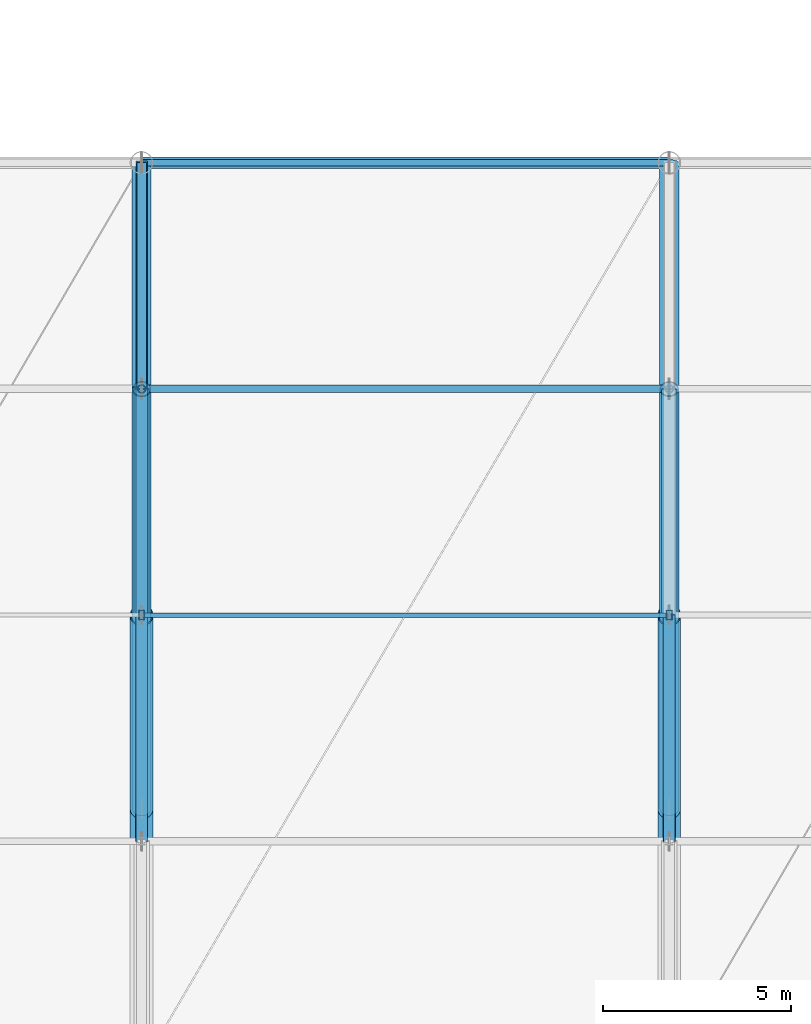
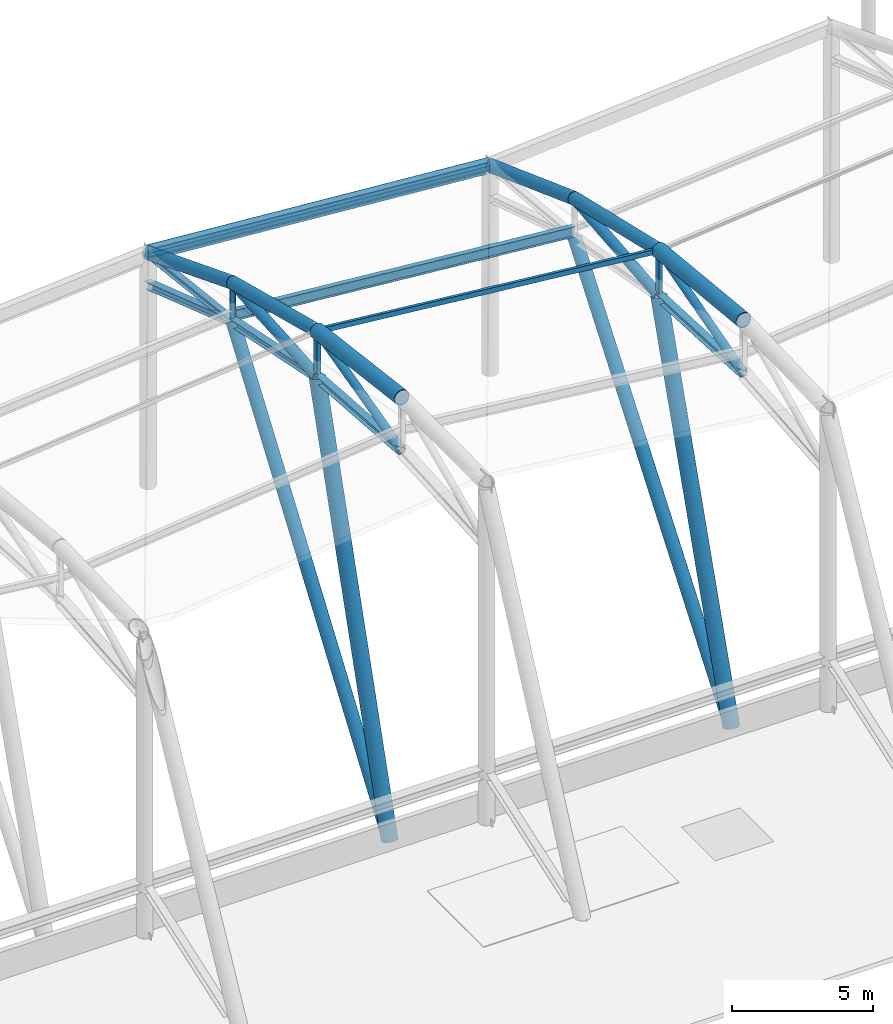
# One storey, part 23 of 90: 25 members, 1 beam.
"""IFC4 building model written with IfcOpenShell, lengths in metres."""

from ifc_helpers import new_model, si_unit, direction, frame, origin, origin_2d, place, context, subcontext, project, spatial, hollow_rectangle, hollow_circle, i_section, extrude, material, material_profile, profile_set, type_object, element, save


model = new_model("IFC4")

# Units and contexts
model_context = context("Model", 3, precision=1e-05, world=origin(), true_north=direction((0.0, 1.0)))
body_context = subcontext(model_context, "Body", "Model", "MODEL_VIEW")
ifc_project = project(units=[si_unit("LENGTHUNIT", "METRE"), si_unit("AREAUNIT", "SQUARE_METRE"), si_unit("VOLUMEUNIT", "CUBIC_METRE"), si_unit("PLANEANGLEUNIT", "RADIAN"), si_unit("MASSUNIT", "GRAM", prefix="KILO")], contexts=[model_context])

# Site, building, storey
site_placement = place(None, origin())
site = spatial("IfcSite", under=ifc_project, at=site_placement, CompositionType="ELEMENT")
building_placement = place(site_placement, origin())
building = spatial("IfcBuilding", under=site, at=building_placement, Name="Linyun Crest Stadium", CompositionType="ELEMENT")
storey_placement = place(building_placement, frame((0.0, 0.0, 21.0)))
storey = spatial("IfcBuildingStorey", under=building, at=storey_placement, Name="L05", CompositionType="ELEMENT", Elevation=21.0)

# Member
ifc_material_1 = material(Name="Steel Q355C", Category="steel")
ifc_material_profile_1 = material_profile(ifc_material_1, hollow_rectangle(XDim=0.1201171875, YDim=0.219970703125, WallThickness=0.008056640625, at=origin_2d()), Name="RHS 220x120x8")
ifc_profile_set_1 = profile_set([ifc_material_profile_1], Name="Steel Q355C")
member_type_1 = type_object("IfcMemberType", Name="AR03", PredefinedType="USERDEFINED", material=ifc_profile_set_1)
member_1_placement = place(storey_placement, frame((0.0, -61.5, 13.950927734375), z_axis=(0.995024124811, 0.0, -0.099634286493), x_axis=(0.0, 1.0, 0.0)))
element("IfcMember", 1, at=member_1_placement, inside=storey, type_object=member_type_1, Name="Art Nouveau canopy arch rib AR03 V4 578", ObjectType="ARCH RIB", PredefinedType="USERDEFINED", context=body_context, shape_type="SweptSolid", body=[
    extrude(hollow_rectangle(XDim=0.1201171875, YDim=0.219970703125, WallThickness=0.008056640625, at=origin_2d()), origin(), (0.0, 0.0, 1.0), 14.070068359375),
])

# Beam
ifc_material_2 = material(Name="Steel Q420C", Category="steel")
ifc_material_profile_2 = material_profile(ifc_material_2, hollow_rectangle(XDim=0.300048828125, YDim=0.5, WallThickness=0.02001953125, at=origin_2d()), Name="RHS 500x300x20")
ifc_profile_set_2 = profile_set([ifc_material_profile_2], Name="Steel Q420C")
beam_type = type_object("IfcBeamType", Name="HB03", PredefinedType="USERDEFINED", material=ifc_profile_set_2)
beam_placement = place(storey_placement, frame((0.0, -49.5, 10.052001953125), z_axis=(0.996905179889, 0.0, -0.07861337234), x_axis=(0.0, 1.0, 0.0)))
element("IfcBeam", 2, at=beam_placement, inside=storey, type_object=beam_type, Name="Roof Inner tension ring beam HB03 V4 41", ObjectType="RING BEAM", PredefinedType="USERDEFINED", context=body_context, shape_type="SweptSolid", body=[
    extrude(hollow_rectangle(XDim=0.300048828125, YDim=0.5, WallThickness=0.02001953125, at=origin_2d()), origin(), (0.0, 0.0, 1.0), 14.04345703125),
])

# Members
ifc_material_3 = material(Name="Steel Q355B", Category="steel")
ifc_material_profile_3 = material_profile(ifc_material_3, i_section(OverallWidth=0.199951171875, OverallDepth=0.449951171875, WebThickness=0.009033203125, FlangeThickness=0.013916015625, at=origin_2d()), Name="HN 450x200")
ifc_profile_set_3 = profile_set([ifc_material_profile_3], Name="Steel Q355B")
member_type_2 = type_object("IfcMemberType", Name="PR04", PredefinedType="PURLIN", material=ifc_profile_set_3)
member_2_placement = place(storey_placement, frame((0.0, -55.5, 11.01611328125), z_axis=(0.996023846173, 0.0, -0.089087024048), x_axis=(0.0, 1.0, 0.0)))
element("IfcMember", 3, at=member_2_placement, inside=storey, type_object=member_type_2, Name="Roof canopy purlin PR04 V4 576", PredefinedType="PURLIN", context=body_context, shape_type="SweptSolid", body=[
    extrude(i_section(OverallWidth=0.199951171875, OverallDepth=0.449951171875, WebThickness=0.009033203125, FlangeThickness=0.013916015625, at=origin_2d()), origin(), (0.0, 0.0, 1.0), 14.055908203125),
])
ifc_material_4 = material(Name="Steel Q355B", Category="steel")
ifc_material_profile_4 = material_profile(ifc_material_4, i_section(OverallWidth=0.175048828125, OverallDepth=0.243896484375, WebThickness=0.007080078125, FlangeThickness=0.010986328125, at=origin_2d()), Name="HM 244x175")
ifc_profile_set_4 = profile_set([ifc_material_profile_4], Name="Steel Q355B")
member_type_3 = type_object("IfcMemberType", Name="PR05", PredefinedType="PURLIN", material=ifc_profile_set_4)
member_3_placement = place(storey_placement, frame((0.0, -49.5, 9.969970703125), z_axis=(0.996905179889, 0.0, -0.07861337234), x_axis=(0.0, 1.0, 0.0)))
element("IfcMember", 4, at=member_3_placement, inside=storey, type_object=member_type_3, Name="Roof canopy purlin PR05 V4 577", PredefinedType="PURLIN", context=body_context, shape_type="SweptSolid", body=[
    extrude(i_section(OverallWidth=0.175048828125, OverallDepth=0.243896484375, WebThickness=0.007080078125, FlangeThickness=0.010986328125, at=origin_2d()), origin(), (0.0, 0.0, 1.0), 14.04345703125),
])
ifc_material_5 = material(Name="Steel Q420C", Category="steel")
ifc_material_profile_5 = material_profile(ifc_material_5, hollow_circle(Radius=0.25390625, WallThickness=0.02490234375, at=origin_2d()), Name="CHS 508x25")
ifc_profile_set_5 = profile_set([ifc_material_profile_5], Name="Steel Q420C")
member_type_4 = type_object("IfcMemberType", Name="TC01", PredefinedType="CHORD", material=ifc_profile_set_5)
member_4_placement = place(storey_placement, frame((0.0, -61.5, 13.950927734375), z_axis=(0.0, 0.968260101337, -0.249944746211), x_axis=(-1.0, 0.0, 0.0)))
element("IfcMember", 5, at=member_4_placement, inside=storey, type_object=member_type_4, Name="Roof truss top chord TC01 V4 519", PredefinedType="CHORD", context=body_context, shape_type="SweptSolid", body=[
    extrude(hollow_circle(Radius=0.25390625, WallThickness=0.02490234375, at=origin_2d()), origin(), (0.0, 0.0, 1.0), 6.19677734375),
])
member_5_placement = place(storey_placement, frame((0.0, -55.5, 12.402099609375), z_axis=(0.0, 0.931123104416, -0.364705037561), x_axis=(-1.0, 0.0, 0.0)))
element("IfcMember", 6, at=member_5_placement, inside=storey, type_object=member_type_4, Name="Roof truss top chord TC01 V4 523", PredefinedType="CHORD", context=body_context, shape_type="SweptSolid", body=[
    extrude(hollow_circle(Radius=0.25390625, WallThickness=0.02490234375, at=origin_2d()), origin(), (0.0, 0.0, 1.0), 6.44384765625),
])
member_6_placement = place(storey_placement, frame((0.0, -66.625, -4.97998046875), z_axis=(0.0, 0.577720061016, 0.81623497297), x_axis=(-1.0, 0.0, 0.0)))
element("IfcMember", 7, at=member_6_placement, inside=storey, type_object=member_type_4, Name="Roof arch forward V-strut TC01 V4 528", PredefinedType="CHORD", context=body_context, shape_type="SweptSolid", body=[
    extrude(hollow_circle(Radius=0.25390625, WallThickness=0.02490234375, at=origin_2d()), origin(), (0.0, 0.0, 1.0), 19.2568359375),
])
member_7_placement = place(storey_placement, frame((14.0, -61.5, 12.549072265625), z_axis=(0.0, 0.973835948352, -0.22725216324), x_axis=(-1.0, 0.0, 0.0)))
element("IfcMember", 8, at=member_7_placement, inside=storey, type_object=member_type_4, Name="Roof truss top chord TC01 V4 538", PredefinedType="CHORD", context=body_context, shape_type="SweptSolid", body=[
    extrude(hollow_circle(Radius=0.25390625, WallThickness=0.02490234375, at=origin_2d()), origin(), (0.0, 0.0, 1.0), 6.1611328125),
])
member_8_placement = place(storey_placement, frame((14.0, -55.5, 11.14892578125), z_axis=(0.0, 0.938829388326, -0.344382606436), x_axis=(-1.0, 0.0, 0.0)))
element("IfcMember", 9, at=member_8_placement, inside=storey, type_object=member_type_4, Name="Roof truss top chord TC01 V4 542", PredefinedType="CHORD", context=body_context, shape_type="SweptSolid", body=[
    extrude(hollow_circle(Radius=0.25390625, WallThickness=0.02490234375, at=origin_2d()), origin(), (0.0, 0.0, 1.0), 6.390869140625),
])
member_9_placement = place(storey_placement, frame((14.0, -66.625, -4.97998046875), z_axis=(0.0, 0.609642223635, 0.792676705323), x_axis=(-1.0, 0.0, 0.0)))
element("IfcMember", 10, at=member_9_placement, inside=storey, type_object=member_type_4, Name="Roof arch forward V-strut TC01 V4 547", PredefinedType="CHORD", context=body_context, shape_type="SweptSolid", body=[
    extrude(hollow_circle(Radius=0.25390625, WallThickness=0.02490234375, at=origin_2d()), origin(), (0.0, 0.0, 1.0), 18.248291015625),
])
ifc_material_6 = material(Name="Steel Q420C", Category="steel")
ifc_material_profile_6 = material_profile(ifc_material_6, hollow_circle(Radius=0.304931640625, WallThickness=0.030029296875, at=origin_2d()), Name="CHS 610x30")
ifc_profile_set_6 = profile_set([ifc_material_profile_6], Name="Steel Q420C")
member_type_5 = type_object("IfcMemberType", Name="TC02", PredefinedType="CHORD", material=ifc_profile_set_6)
member_10_placement = place(storey_placement, frame((0.0, -67.5, 14.700927734375), z_axis=(0.0, 0.992277876714, -0.124034734589), x_axis=(-1.0, 0.0, 0.0)))
element("IfcMember", 11, at=member_10_placement, inside=storey, type_object=member_type_5, Name="Roof truss top chord TC02 V4 515", PredefinedType="CHORD", context=body_context, shape_type="SweptSolid", body=[
    extrude(hollow_circle(Radius=0.304931640625, WallThickness=0.030029296875, at=origin_2d()), origin(), (0.0, 0.0, 1.0), 6.046630859375),
])
member_11_placement = place(storey_placement, frame((0.0, -66.625, -4.97998046875), z_axis=(0.0, 0.289340159491, 0.957226343195), x_axis=(-1.0, 0.0, 0.0)))
element("IfcMember", 12, at=member_11_placement, inside=storey, type_object=member_type_5, Name="Roof arch inclined support strut TC02 V4 527", PredefinedType="CHORD", context=body_context, shape_type="SweptSolid", body=[
    extrude(hollow_circle(Radius=0.304931640625, WallThickness=0.030029296875, at=origin_2d()), origin(), (0.0, 0.0, 1.0), 17.712646484375),
])
member_12_placement = place(storey_placement, frame((14.0, -67.5, 13.14990234375), z_axis=(0.0, 0.995023551382, -0.099640013019), x_axis=(-1.0, 0.0, 0.0)))
element("IfcMember", 13, at=member_12_placement, inside=storey, type_object=member_type_5, Name="Roof truss top chord TC02 V4 534", PredefinedType="CHORD", context=body_context, shape_type="SweptSolid", body=[
    extrude(hollow_circle(Radius=0.304931640625, WallThickness=0.030029296875, at=origin_2d()), origin(), (0.0, 0.0, 1.0), 6.030029296875),
])
member_13_placement = place(storey_placement, frame((14.0, -66.625, -4.97998046875), z_axis=(0.0, 0.312965345656, 0.949764545779), x_axis=(-1.0, 0.0, 0.0)))
element("IfcMember", 14, at=member_13_placement, inside=storey, type_object=member_type_5, Name="Roof arch inclined support strut TC02 V4 546", PredefinedType="CHORD", context=body_context, shape_type="SweptSolid", body=[
    extrude(hollow_circle(Radius=0.304931640625, WallThickness=0.030029296875, at=origin_2d()), origin(), (0.0, 0.0, 1.0), 16.375732421875),
])
ifc_material_7 = material(Name="Steel Q355C", Category="steel")
ifc_material_profile_7 = material_profile(ifc_material_7, i_section(OverallWidth=0.300048828125, OverallDepth=0.300048828125, WebThickness=0.010009765625, FlangeThickness=0.014892578125, at=origin_2d()), Name="HW 300x300")
ifc_profile_set_7 = profile_set([ifc_material_profile_7], Name="Steel Q355C")
member_type_6 = type_object("IfcMemberType", Name="TC03", PredefinedType="CHORD", material=ifc_profile_set_7)
member_14_placement = place(storey_placement, frame((0.0, -67.5, 12.4130859375), z_axis=(0.0, 0.997346243712, -0.072804327849), x_axis=(-1.0, 0.0, 0.0)))
element("IfcMember", 15, at=member_14_placement, inside=storey, type_object=member_type_6, Name="Roof truss bottom chord TC03 V4 516", PredefinedType="CHORD", context=body_context, shape_type="SweptSolid", body=[
    extrude(i_section(OverallWidth=0.300048828125, OverallDepth=0.300048828125, WebThickness=0.010009765625, FlangeThickness=0.014892578125, at=origin_2d()), origin(), (0.0, 0.0, 1.0), 6.015869140625),
])
member_15_placement = place(storey_placement, frame((0.0, -61.5, 11.97509765625), z_axis=(0.0, 0.979400054026, -0.201929527741), x_axis=(-1.0, 0.0, 0.0)))
element("IfcMember", 16, at=member_15_placement, inside=storey, type_object=member_type_6, Name="Roof truss bottom chord TC03 V4 520", PredefinedType="CHORD", context=body_context, shape_type="SweptSolid", body=[
    extrude(i_section(OverallWidth=0.300048828125, OverallDepth=0.300048828125, WebThickness=0.010009765625, FlangeThickness=0.014892578125, at=origin_2d()), origin(), (0.0, 0.0, 1.0), 6.126220703125),
])
member_16_placement = place(storey_placement, frame((0.0, -55.5, 10.738037109375), z_axis=(0.0, 0.946864764463, -0.321631960194), x_axis=(-1.0, 0.0, 0.0)))
element("IfcMember", 17, at=member_16_placement, inside=storey, type_object=member_type_6, Name="Roof truss bottom chord TC03 V4 524", PredefinedType="CHORD", context=body_context, shape_type="SweptSolid", body=[
    extrude(i_section(OverallWidth=0.300048828125, OverallDepth=0.300048828125, WebThickness=0.010009765625, FlangeThickness=0.014892578125, at=origin_2d()), origin(), (0.0, 0.0, 1.0), 6.336669921875),
])
member_17_placement = place(storey_placement, frame((14.0, -67.5, 10.862060546875), z_axis=(0.0, 0.998841500616, -0.048121270212), x_axis=(-1.0, 0.0, 0.0)))
element("IfcMember", 18, at=member_17_placement, inside=storey, type_object=member_type_6, Name="Roof truss bottom chord TC03 V4 535", PredefinedType="CHORD", context=body_context, shape_type="SweptSolid", body=[
    extrude(i_section(OverallWidth=0.300048828125, OverallDepth=0.300048828125, WebThickness=0.010009765625, FlangeThickness=0.014892578125, at=origin_2d()), origin(), (0.0, 0.0, 1.0), 6.007080078125),
])
ifc_material_8 = material(Name="Steel Q355C", Category="steel")
ifc_material_profile_8 = material_profile(ifc_material_8, hollow_circle(Radius=0.16259765625, WallThickness=0.01611328125, at=origin_2d()), Name="CHS 325x16")
ifc_profile_set_8 = profile_set([ifc_material_profile_8], Name="Steel Q355C")
member_type_7 = type_object("IfcMemberType", Name="TD02", PredefinedType="BRACE", material=ifc_profile_set_8)
member_18_placement = place(storey_placement, frame((0.0, -67.5, 12.4130859375), z_axis=(0.0, 0.968687934198, 0.248281465556), x_axis=(-1.0, 0.0, 0.0)))
element("IfcMember", 19, at=member_18_placement, inside=storey, type_object=member_type_7, Name="Roof truss diagonal TD02 V4 517", PredefinedType="BRACE", context=body_context, shape_type="SweptSolid", body=[
    extrude(hollow_circle(Radius=0.16259765625, WallThickness=0.01611328125, at=origin_2d()), origin(), (0.0, 0.0, 1.0), 6.19384765625),
])
member_19_placement = place(storey_placement, frame((14.0, -67.5, 10.862060546875), z_axis=(0.0, 0.962671356068, 0.270672976499), x_axis=(-1.0, 0.0, 0.0)))
element("IfcMember", 20, at=member_19_placement, inside=storey, type_object=member_type_7, Name="Roof truss diagonal TD02 V4 536", PredefinedType="BRACE", context=body_context, shape_type="SweptSolid", body=[
    extrude(hollow_circle(Radius=0.16259765625, WallThickness=0.01611328125, at=origin_2d()), origin(), (0.0, 0.0, 1.0), 6.232666015625),
])
ifc_material_9 = material(Name="Steel Q420C", Category="steel")
ifc_material_profile_9 = material_profile(ifc_material_9, hollow_circle(Radius=0.202880859375, WallThickness=0.02001953125, at=origin_2d()), Name="CHS 406x20")
ifc_profile_set_9 = profile_set([ifc_material_profile_9], Name="Steel Q420C")
member_type_8 = type_object("IfcMemberType", Name="TD03", PredefinedType="BRACE", material=ifc_profile_set_9)
member_20_placement = place(storey_placement, frame((0.0, -61.5, 11.97509765625), z_axis=(0.0, 0.997477208541, 0.070987452707), x_axis=(-1.0, 0.0, 0.0)))
element("IfcMember", 21, at=member_20_placement, inside=storey, type_object=member_type_8, Name="Roof truss diagonal TD03 V4 521", PredefinedType="BRACE", context=body_context, shape_type="SweptSolid", body=[
    extrude(hollow_circle(Radius=0.202880859375, WallThickness=0.02001953125, at=origin_2d()), origin(), (0.0, 0.0, 1.0), 6.01513671875),
])
member_21_placement = place(storey_placement, frame((14.0, -61.5, 10.572998046875), z_axis=(0.0, 0.995424748219, 0.095548786664), x_axis=(-1.0, 0.0, 0.0)))
element("IfcMember", 22, at=member_21_placement, inside=storey, type_object=member_type_8, Name="Roof truss diagonal TD03 V4 540", PredefinedType="BRACE", context=body_context, shape_type="SweptSolid", body=[
    extrude(hollow_circle(Radius=0.202880859375, WallThickness=0.02001953125, at=origin_2d()), origin(), (0.0, 0.0, 1.0), 6.027587890625),
])
ifc_material_10 = material(Name="Steel Q355C", Category="steel")
ifc_material_profile_10 = material_profile(ifc_material_10, i_section(OverallWidth=0.25, OverallDepth=0.25, WebThickness=0.009033203125, FlangeThickness=0.013916015625, at=origin_2d()), Name="HW 250x250")
ifc_profile_set_10 = profile_set([ifc_material_profile_10], Name="Steel Q355C")
member_type_9 = type_object("IfcMemberType", Name="TD04", PredefinedType="BRACE", material=ifc_profile_set_10)
member_22_placement = place(storey_placement, frame((0.0, -55.5, 10.738037109375), z_axis=(0.0, 0.993526677305, -0.113599038217), x_axis=(-1.0, 0.0, 0.0)))
element("IfcMember", 23, at=member_22_placement, inside=storey, type_object=member_type_9, Name="Roof truss diagonal TD04 V4 525", PredefinedType="BRACE", context=body_context, shape_type="SweptSolid", body=[
    extrude(i_section(OverallWidth=0.25, OverallDepth=0.25, WebThickness=0.009033203125, FlangeThickness=0.013916015625, at=origin_2d()), origin(), (0.0, 0.0, 1.0), 6.0390625),
])
ifc_material_11 = material(Name="Steel Q355C", Category="steel")
ifc_material_profile_11 = material_profile(ifc_material_11, hollow_circle(Radius=0.109619140625, WallThickness=0.011962890625, at=origin_2d()), Name="CHS 219x12")
ifc_profile_set_11 = profile_set([ifc_material_profile_11], Name="Steel Q355C")
member_type_10 = type_object("IfcMemberType", Name="TV01", PredefinedType="STRUT", material=ifc_profile_set_11)
member_23_placement = place(storey_placement, frame((0.0, -55.5, 10.738037109375), z_axis=(0.0, 0.0, 1.0), x_axis=(1.0, 0.0, 0.0)))
element("IfcMember", 24, at=member_23_placement, inside=storey, type_object=member_type_10, Name="Roof vertical strut TV01 V4 526", PredefinedType="STRUT", context=body_context, shape_type="SweptSolid", body=[
    extrude(hollow_circle(Radius=0.109619140625, WallThickness=0.011962890625, at=origin_2d()), origin(), (0.0, 0.0, 1.0), 1.6640625),
])
ifc_material_12 = material(Name="Steel Q355C", Category="steel")
ifc_material_profile_12 = material_profile(ifc_material_12, hollow_rectangle(XDim=0.14990234375, YDim=0.25, WallThickness=0.010009765625, at=origin_2d()), Name="RHS 250x150x10")
ifc_profile_set_12 = profile_set([ifc_material_profile_12], Name="Steel Q355C")
member_type_11 = type_object("IfcMemberType", Name="TV03", PredefinedType="STRUT", material=ifc_profile_set_12)
member_24_placement = place(storey_placement, frame((0.0, -61.5, 11.97509765625), z_axis=(0.0, 0.0, 1.0), x_axis=(1.0, 0.0, 0.0)))
element("IfcMember", 25, at=member_24_placement, inside=storey, type_object=member_type_11, Name="Roof vertical strut TV03 V4 522", PredefinedType="STRUT", context=body_context, shape_type="SweptSolid", body=[
    extrude(hollow_rectangle(XDim=0.14990234375, YDim=0.25, WallThickness=0.010009765625, at=origin_2d()), origin(), (0.0, 0.0, 1.0), 1.975830078125),
])
member_25_placement = place(storey_placement, frame((14.0, -61.5, 10.572998046875), z_axis=(0.0, 0.0, 1.0), x_axis=(1.0, 0.0, 0.0)))
element("IfcMember", 26, at=member_25_placement, inside=storey, type_object=member_type_11, Name="Roof vertical strut TV03 V4 541", PredefinedType="STRUT", context=body_context, shape_type="SweptSolid", body=[
    extrude(hollow_rectangle(XDim=0.14990234375, YDim=0.25, WallThickness=0.010009765625, at=origin_2d()), origin(), (0.0, 0.0, 1.0), 1.97607421875),
])

save(model, "model.ifc")
